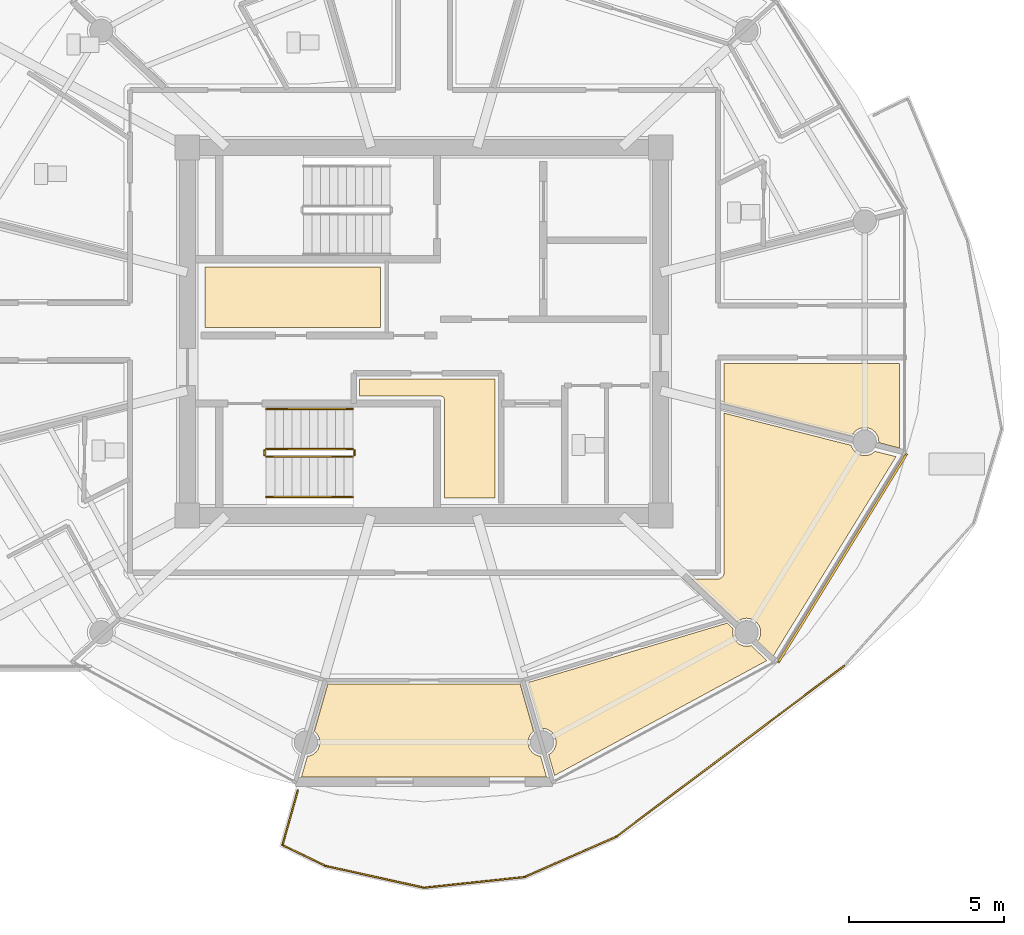
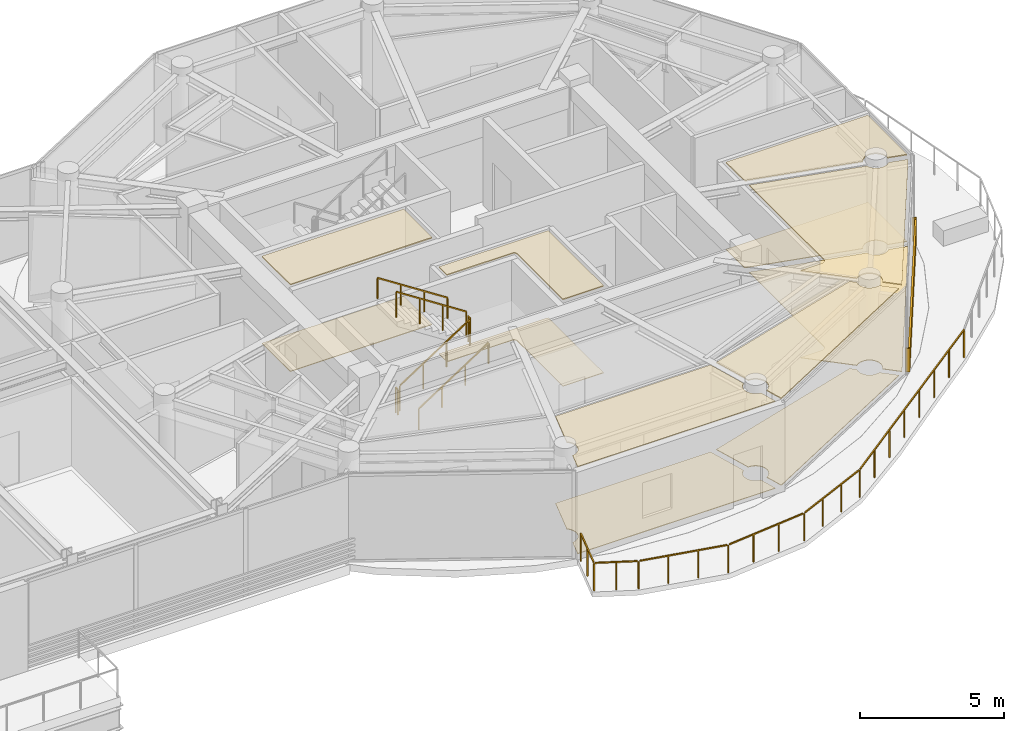
# One storey, part 27 of 31: 12 coverings, 7 railings, 1 shading device.
"""IFC4 building model written with IfcOpenShell, lengths in metres."""

from ifc_helpers import new_model, si_unit, direction, frame, origin, origin_2d, place, context, subcontext, project, spatial, polyline, rectangle, outline, extrude, source, transform, mapped, material, layer, layer_set, type_object, type_shapes, element, save


model = new_model("IFC4")

# Units and contexts
model_context = context("Model", 3, precision=1e-05, world=origin(), true_north=direction((0.0, 1.0)))
body_context = subcontext(model_context, "Body", "Model", "MODEL_VIEW")
ifc_project = project(units=[si_unit("LENGTHUNIT", "METRE"), si_unit("AREAUNIT", "SQUARE_METRE"), si_unit("VOLUMEUNIT", "CUBIC_METRE"), si_unit("PLANEANGLEUNIT", "RADIAN"), si_unit("MASSUNIT", "GRAM", prefix="KILO")], contexts=[model_context])

# Site, building, storey
site_placement = place(None, origin())
site = spatial("IfcSite", under=ifc_project, at=site_placement, CompositionType="ELEMENT")
building_placement = place(site_placement, origin())
building = spatial("IfcBuilding", under=site, at=building_placement, Name="Norrkilde Senior Care Towers", CompositionType="ELEMENT")
storey_placement = place(building_placement, frame((0.0, 0.0, 199.800048828125)))
storey = spatial("IfcBuildingStorey", under=building, at=storey_placement, Name="L62", CompositionType="ELEMENT", Elevation=199.800048828125)

# Coverings
ifc_material_1 = material(Name="Nordic Ash Timber", Category="wood")
ifc_layer_1 = layer(ifc_material_1, 0.044921875)
ifc_layer_set_1 = layer_set([ifc_layer_1], Name="Nordic Ash Timber")
covering_type_1 = type_object("IfcCoveringType", Name="Acoustic Ash Timber Slatted Ceiling 45", PredefinedType="CEILING", material=ifc_layer_set_1)
covering_1_placement = place(storey_placement, frame((0.0, 0.0, 3.6650390625)))
element("IfcCovering", 1, at=covering_1_placement, inside=storey, type_object=covering_type_1, Name="L62 Suspended Ceiling 0393", PredefinedType="CEILING", context=body_context, shape_type="SweptSolid", body=[
    extrude(outline(polyline([(20.919921875, 0.1201171875), (20.919921875, 2.090087890625), (26.60009765625, 2.090087890625), (26.60009765625, 0.1201171875), (20.919921875, 0.1201171875)])), origin(), (0.0, 0.0, 1.0), 0.044921875),
])
covering_2_placement = place(storey_placement, frame((0.0, 0.0, 3.6650390625)))
element("IfcCovering", 2, at=covering_2_placement, inside=storey, type_object=covering_type_1, Name="L62 Suspended Ceiling 0394", PredefinedType="CEILING", context=body_context, shape_type="SweptSolid", body=[
    extrude(outline(polyline([(28.65478515625, -2.175048828125), (28.65087890625, -2.1640625), (28.645751953125, -2.1533203125), (28.639892578125, -2.143310546875), (28.6328125, -2.1337890625), (28.624755859375, -2.125244140625), (28.6162109375, -2.1171875), (28.606689453125, -2.110107421875), (28.5966796875, -2.104248046875), (28.5859375, -2.09912109375), (28.574951171875, -2.09521484375), (28.5634765625, -2.09228515625), (28.5517578125, -2.090576171875), (28.5400390625, -2.090087890625), (25.919921875, -2.090087890625), (25.919921875, -1.5400390625), (30.2900390625, -1.5400390625), (30.2900390625, -5.3798828125), (28.659912109375, -5.3798828125), (28.659912109375, -2.2099609375), (28.659423828125, -2.1982421875), (28.65771484375, -2.1865234375), (28.65478515625, -2.175048828125)])), origin(), (0.0, 0.0, 1.0), 0.044921875),
])
covering_3_placement = place(storey_placement, frame((0.0, 0.0, 3.6650390625)))
element("IfcCovering", 3, at=covering_3_placement, inside=storey, type_object=covering_type_1, Name="L62 Suspended Ceiling 0399", PredefinedType="CEILING", context=body_context, shape_type="SweptSolid", body=[
    extrude(outline(polyline([(43.37353515625, -3.76708984375), (42.697509765625, -3.59619140625), (42.702392578125, -3.558837890625), (42.68701171875, -3.44091796875), (42.641357421875, -3.331298828125), (42.569091796875, -3.237060546875), (42.474853515625, -3.164794921875), (42.365234375, -3.119384765625), (42.247314453125, -3.103759765625), (42.129638671875, -3.119384765625), (42.02001953125, -3.164794921875), (41.92578125, -3.237060546875), (41.853271484375, -3.331298828125), (41.834228515625, -3.377685546875), (37.699951171875, -2.331298828125), (37.699951171875, -1.0400390625), (43.37353515625, -1.0400390625), (43.37353515625, -3.76708984375)])), origin(), (0.0, 0.0, 1.0), 0.044921875),
])
covering_4_placement = place(storey_placement, frame((0.0, 0.0, 3.6650390625)))
element("IfcCovering", 4, at=covering_4_placement, inside=storey, type_object=covering_type_1, Name="L62 Suspended Ceiling 0411", PredefinedType="CEILING", context=body_context, shape_type="SweptSolid", body=[
    extrude(outline(polyline([(24.229736328125, -13.730224609375), (24.30029296875, -13.720947265625), (24.409912109375, -13.675537109375), (24.504150390625, -13.603271484375), (24.576416015625, -13.509033203125), (24.621826171875, -13.399169921875), (24.637451171875, -13.281494140625), (24.621826171875, -13.163818359375), (24.576416015625, -13.053955078125), (24.504150390625, -12.959716796875), (24.458251953125, -12.924560546875), (24.89404296875, -11.38916015625), (31.10595703125, -11.38916015625), (31.541748046875, -12.924560546875), (31.495849609375, -12.959716796875), (31.423583984375, -13.053955078125), (31.378173828125, -13.163818359375), (31.362548828125, -13.281494140625), (31.378173828125, -13.399169921875), (31.423583984375, -13.509033203125), (31.495849609375, -13.603271484375), (31.590087890625, -13.675537109375), (31.69970703125, -13.720947265625), (31.770263671875, -13.730224609375), (31.96240234375, -14.407470703125), (24.03759765625, -14.407470703125), (24.229736328125, -13.730224609375)])), origin(), (0.0, 0.0, 1.0), 0.044921875),
])
covering_5_placement = place(storey_placement, frame((0.0, 0.0, 3.6650390625)))
element("IfcCovering", 5, at=covering_5_placement, inside=storey, type_object=covering_type_1, Name="L62 Suspended Ceiling 0412", PredefinedType="CEILING", context=body_context, shape_type="SweptSolid", body=[
    extrude(outline(polyline([(32.223876953125, -14.351806640625), (32.029052734375, -13.68212890625), (32.045166015625, -13.675537109375), (32.139404296875, -13.603271484375), (32.211669921875, -13.509033203125), (32.257080078125, -13.399169921875), (32.2724609375, -13.281494140625), (32.257080078125, -13.163818359375), (32.211669921875, -13.053955078125), (32.139404296875, -12.959716796875), (32.045166015625, -12.887451171875), (31.935302734375, -12.842041015625), (31.817626953125, -12.826416015625), (31.781494140625, -12.831298828125), (31.351318359375, -11.3525390625), (37.803955078125, -9.42578125), (37.9912109375, -9.6025390625), (37.990234375, -9.60498046875), (37.974853515625, -9.72265625), (37.990234375, -9.840576171875), (38.035888671875, -9.9501953125), (38.108154296875, -10.04443359375), (38.202392578125, -10.11669921875), (38.31201171875, -10.162109375), (38.429931640625, -10.177734375), (38.547607421875, -10.162109375), (38.57275390625, -10.15185546875), (39.08642578125, -10.636962890625), (32.223876953125, -14.351806640625)])), origin(), (0.0, 0.0, 1.0), 0.044921875),
])
covering_6_placement = place(storey_placement, frame((0.0, 0.0, 3.6650390625)))
element("IfcCovering", 6, at=covering_6_placement, inside=storey, type_object=covering_type_1, Name="L62 Suspended Ceiling 0413", PredefinedType="CEILING", context=body_context, shape_type="SweptSolid", body=[
    extrude(outline(polyline([(37.552490234375, -7.992919921875), (37.563720703125, -7.989501953125), (37.571044921875, -7.98681640625), (37.58203125, -7.982421875), (37.589111328125, -7.97900390625), (37.599365234375, -7.973388671875), (37.606201171875, -7.969482421875), (37.615966796875, -7.962890625), (37.622314453125, -7.958251953125), (37.63134765625, -7.95068359375), (37.63720703125, -7.945556640625), (37.6455078125, -7.937255859375), (37.65087890625, -7.931396484375), (37.658203125, -7.92236328125), (37.662841796875, -7.916015625), (37.66943359375, -7.90625), (37.673583984375, -7.8994140625), (37.678955078125, -7.888916015625), (37.682373046875, -7.8818359375), (37.68701171875, -7.87109375), (37.689453125, -7.86376953125), (37.69287109375, -7.852294921875), (37.69482421875, -7.8447265625), (37.697265625, -7.833251953125), (37.6982421875, -7.825439453125), (37.699462890625, -7.813720703125), (37.699951171875, -7.805908203125), (37.699951171875, -7.800048828125), (37.699951171875, -2.640625), (41.809814453125, -3.680908203125), (41.853271484375, -3.786376953125), (41.92578125, -3.880615234375), (42.02001953125, -3.952880859375), (42.129638671875, -3.998291015625), (42.247314453125, -4.013671875), (42.365234375, -3.998291015625), (42.474853515625, -3.952880859375), (42.569091796875, -3.880615234375), (42.573974609375, -3.874267578125), (43.25732421875, -4.04736328125), (39.28662109375, -10.495849609375), (38.775634765625, -10.01318359375), (38.823974609375, -9.9501953125), (38.869384765625, -9.840576171875), (38.884765625, -9.72265625), (38.869384765625, -9.60498046875), (38.823974609375, -9.4951171875), (38.75146484375, -9.40087890625), (38.6572265625, -9.32861328125), (38.547607421875, -9.283203125), (38.429931640625, -9.267822265625), (38.31201171875, -9.283203125), (38.202392578125, -9.32861328125), (38.11865234375, -9.392822265625), (36.644287109375, -8.0), (37.5, -8.0), (37.505859375, -7.999755859375), (37.513671875, -7.99951171875), (37.525390625, -7.998291015625), (37.533203125, -7.9970703125), (37.544677734375, -7.994873046875), (37.552490234375, -7.992919921875)])), origin(), (0.0, 0.0, 1.0), 0.044921875),
])

# Railing
ifc_material_2 = material(Name="Stainless Steel", Category="steel")
railing_type_1 = type_object("IfcRailingType", Name="Sky Pool Laminated Balustrade 1200", PredefinedType="BALUSTRADE", material=ifc_material_2)
railing_1_placement = place(storey_placement, frame((41.58740234375, -10.80712890625, 0.0)))
element("IfcRailing", 7, at=railing_1_placement, inside=storey, type_object=railing_type_1, Name="L62 Perimeter Safety Guard 01", PredefinedType="BALUSTRADE", context=body_context, shape_type="SweptSolid", body=[
    extrude(rectangle(XDim=0.048095703125, YDim=0.048095703125, at=origin_2d()), frame((0.0, 0.0, 1.17578125), z_axis=(-0.80021323354, -0.599715583313, 0.0), x_axis=(0.599715583313, -0.80021323354, 0.0)), (0.0, 0.0, 1.0), 9.162353515625),
    extrude(rectangle(XDim=0.048095703125, YDim=0.048095703125, at=origin_2d()), frame((-7.40185546875, -5.53564453125, 1.17578125), z_axis=(-0.915355988699, -0.402645518979, 0.0), x_axis=(0.402645518979, -0.915355988699, 0.0)), (0.0, 0.0, 1.0), 3.170166015625),
    extrude(rectangle(XDim=0.048095703125, YDim=0.048095703125, at=origin_2d()), frame((-10.3818359375, -6.8330078125, 1.17578125), z_axis=(-0.994369621429, -0.105967240121, 0.0), x_axis=(0.105967240121, -0.994369621429, 0.0)), (0.0, 0.0, 1.0), 3.17822265625),
    extrude(rectangle(XDim=0.048095703125, YDim=0.048095703125, at=origin_2d()), frame((-13.62255859375, -7.165283203125, 1.17578125), z_axis=(-0.976354032305, 0.216177713008, 0.0), x_axis=(-0.216177713008, -0.976354032305, 0.0)), (0.0, 0.0, 1.0), 3.180908203125),
    extrude(rectangle(XDim=0.048095703125, YDim=0.048095703125, at=origin_2d()), frame((-16.80517578125, -6.450927734375, 1.17578125), z_axis=(-0.900460101049, 0.434938623738, 0.0), x_axis=(-0.434938623738, -0.900460101049, 0.0)), (0.0, 0.0, 1.0), 1.467041015625),
    extrude(rectangle(XDim=0.048095703125, YDim=0.048095703125, at=origin_2d()), frame((-18.15185546875, -5.755859375, 1.17578125), z_axis=(0.270182797881, 0.962809044271, 0.0), x_axis=(-0.962809044271, 0.270182797881, 0.0)), (0.0, 0.0, 1.0), 1.79345703125),
    extrude(rectangle(XDim=0.0419921875, YDim=0.0419921875, at=origin_2d()), origin(), (0.0, 0.0, 1.0), 1.14990234375),
    extrude(rectangle(XDim=0.0419921875, YDim=0.0419921875, at=origin_2d()), frame((-1.052001953125, -0.78857421875, 0.0)), (0.0, 0.0, 1.0), 1.14990234375),
    extrude(rectangle(XDim=0.0419921875, YDim=0.0419921875, at=origin_2d()), frame((-2.104248046875, -1.576904296875, 0.0)), (0.0, 0.0, 1.0), 1.14990234375),
    extrude(rectangle(XDim=0.0419921875, YDim=0.0419921875, at=origin_2d()), frame((-3.15625, -2.365478515625, 0.0)), (0.0, 0.0, 1.0), 1.14990234375),
    extrude(rectangle(XDim=0.0419921875, YDim=0.0419921875, at=origin_2d()), frame((-4.208251953125, -3.15380859375, 0.0)), (0.0, 0.0, 1.0), 1.14990234375),
    extrude(rectangle(XDim=0.0419921875, YDim=0.0419921875, at=origin_2d()), frame((-5.26025390625, -3.9423828125, 0.0)), (0.0, 0.0, 1.0), 1.14990234375),
    extrude(rectangle(XDim=0.0419921875, YDim=0.0419921875, at=origin_2d()), frame((-6.3125, -4.730712890625, 0.0)), (0.0, 0.0, 1.0), 1.14990234375),
    extrude(rectangle(XDim=0.0419921875, YDim=0.0419921875, at=origin_2d()), frame((-7.364501953125, -5.519287109375, 0.0)), (0.0, 0.0, 1.0), 1.14990234375),
    extrude(rectangle(XDim=0.0419921875, YDim=0.0419921875, at=origin_2d()), frame((-8.356689453125, -5.955810546875, 0.0)), (0.0, 0.0, 1.0), 1.14990234375),
    extrude(rectangle(XDim=0.0419921875, YDim=0.0419921875, at=origin_2d()), frame((-9.348876953125, -6.39208984375, 0.0)), (0.0, 0.0, 1.0), 1.14990234375),
    extrude(rectangle(XDim=0.0419921875, YDim=0.0419921875, at=origin_2d()), frame((-10.341064453125, -6.82861328125, 0.0)), (0.0, 0.0, 1.0), 1.14990234375),
    extrude(rectangle(XDim=0.0419921875, YDim=0.0419921875, at=origin_2d()), frame((-11.421630859375, -6.94384765625, 0.0)), (0.0, 0.0, 1.0), 1.14990234375),
    extrude(rectangle(XDim=0.0419921875, YDim=0.0419921875, at=origin_2d()), frame((-12.502197265625, -7.058837890625, 0.0)), (0.0, 0.0, 1.0), 1.14990234375),
    extrude(rectangle(XDim=0.0419921875, YDim=0.0419921875, at=origin_2d()), frame((-13.582763671875, -7.174072265625, 0.0)), (0.0, 0.0, 1.0), 1.14990234375),
    extrude(rectangle(XDim=0.0419921875, YDim=0.0419921875, at=origin_2d()), frame((-14.64453125, -6.93896484375, 0.0)), (0.0, 0.0, 1.0), 1.14990234375),
    extrude(rectangle(XDim=0.0419921875, YDim=0.0419921875, at=origin_2d()), frame((-15.70654296875, -6.703857421875, 0.0)), (0.0, 0.0, 1.0), 1.14990234375),
    extrude(rectangle(XDim=0.0419921875, YDim=0.0419921875, at=origin_2d()), frame((-16.768310546875, -6.46875, 0.0)), (0.0, 0.0, 1.0), 1.14990234375),
    extrude(rectangle(XDim=0.0419921875, YDim=0.0419921875, at=origin_2d()), frame((-17.465576171875, -6.1318359375, 0.0)), (0.0, 0.0, 1.0), 1.14990234375),
    extrude(rectangle(XDim=0.0419921875, YDim=0.0419921875, at=origin_2d()), frame((-18.162841796875, -5.795166015625, 0.0)), (0.0, 0.0, 1.0), 1.14990234375),
    extrude(rectangle(XDim=0.0419921875, YDim=0.0419921875, at=origin_2d()), frame((-17.9150390625, -4.912109375, 0.0)), (0.0, 0.0, 1.0), 1.14990234375),
    extrude(rectangle(XDim=0.0419921875, YDim=0.0419921875, at=origin_2d()), frame((-17.667236328125, -4.029052734375, 0.0)), (0.0, 0.0, 1.0), 1.14990234375),
])

# Coverings
ifc_material_3 = material(Name="Slip-Resistant Porcelain Stone", Category="masonry")
ifc_layer_2 = layer(ifc_material_3, 0.02490234375)
ifc_layer_set_2 = layer_set([ifc_layer_2], Name="Slip-Resistant Porcelain Stone")
covering_type_2 = type_object("IfcCoveringType", Name="Slip-Resistant Porcelain Flooring 25", PredefinedType="FLOORING", material=ifc_layer_set_2)
covering_7_placement = place(storey_placement, origin())
element("IfcCovering", 8, at=covering_7_placement, inside=storey, type_object=covering_type_2, Name="L62 Floor Finish 0393", PredefinedType="FLOORING", context=body_context, shape_type="SweptSolid", body=[
    extrude(outline(polyline([(20.919921875, 0.1201171875), (20.919921875, 2.090087890625), (26.60009765625, 2.090087890625), (26.60009765625, 0.1201171875), (20.919921875, 0.1201171875)])), origin(), (0.0, 0.0, 1.0), 0.02490234375),
])
covering_8_placement = place(storey_placement, origin())
element("IfcCovering", 9, at=covering_8_placement, inside=storey, type_object=covering_type_2, Name="L62 Floor Finish 0394", PredefinedType="FLOORING", context=body_context, shape_type="SweptSolid", body=[
    extrude(outline(polyline([(28.65478515625, -2.175048828125), (28.65087890625, -2.1640625), (28.645751953125, -2.1533203125), (28.639892578125, -2.143310546875), (28.6328125, -2.1337890625), (28.624755859375, -2.125244140625), (28.6162109375, -2.1171875), (28.606689453125, -2.110107421875), (28.5966796875, -2.104248046875), (28.5859375, -2.09912109375), (28.574951171875, -2.09521484375), (28.5634765625, -2.09228515625), (28.5517578125, -2.090576171875), (28.5400390625, -2.090087890625), (25.919921875, -2.090087890625), (25.919921875, -1.5400390625), (30.2900390625, -1.5400390625), (30.2900390625, -5.3798828125), (28.659912109375, -5.3798828125), (28.659912109375, -2.2099609375), (28.659423828125, -2.1982421875), (28.65771484375, -2.1865234375), (28.65478515625, -2.175048828125)])), origin(), (0.0, 0.0, 1.0), 0.02490234375),
])
covering_9_placement = place(storey_placement, origin())
element("IfcCovering", 10, at=covering_9_placement, inside=storey, type_object=covering_type_2, Name="L62 Floor Finish 0399", PredefinedType="FLOORING", context=body_context, shape_type="SweptSolid", body=[
    extrude(outline(polyline([(43.37353515625, -3.76708984375), (42.697509765625, -3.59619140625), (42.702392578125, -3.558837890625), (42.68701171875, -3.44091796875), (42.641357421875, -3.331298828125), (42.569091796875, -3.237060546875), (42.474853515625, -3.164794921875), (42.365234375, -3.119384765625), (42.247314453125, -3.103759765625), (42.129638671875, -3.119384765625), (42.02001953125, -3.164794921875), (41.92578125, -3.237060546875), (41.853271484375, -3.331298828125), (41.834228515625, -3.377685546875), (37.699951171875, -2.331298828125), (37.699951171875, -1.0400390625), (43.37353515625, -1.0400390625), (43.37353515625, -3.76708984375)])), origin(), (0.0, 0.0, 1.0), 0.02490234375),
])
covering_10_placement = place(storey_placement, origin())
element("IfcCovering", 11, at=covering_10_placement, inside=storey, type_object=covering_type_2, Name="L62 Floor Finish 0411", PredefinedType="FLOORING", context=body_context, shape_type="SweptSolid", body=[
    extrude(outline(polyline([(24.229736328125, -13.730224609375), (24.30029296875, -13.720947265625), (24.409912109375, -13.675537109375), (24.504150390625, -13.603271484375), (24.576416015625, -13.509033203125), (24.621826171875, -13.399169921875), (24.637451171875, -13.281494140625), (24.621826171875, -13.163818359375), (24.576416015625, -13.053955078125), (24.504150390625, -12.959716796875), (24.458251953125, -12.924560546875), (24.89404296875, -11.38916015625), (31.10595703125, -11.38916015625), (31.541748046875, -12.924560546875), (31.495849609375, -12.959716796875), (31.423583984375, -13.053955078125), (31.378173828125, -13.163818359375), (31.362548828125, -13.281494140625), (31.378173828125, -13.399169921875), (31.423583984375, -13.509033203125), (31.495849609375, -13.603271484375), (31.590087890625, -13.675537109375), (31.69970703125, -13.720947265625), (31.770263671875, -13.730224609375), (31.96240234375, -14.407470703125), (24.03759765625, -14.407470703125), (24.229736328125, -13.730224609375)])), origin(), (0.0, 0.0, 1.0), 0.02490234375),
])
covering_11_placement = place(storey_placement, origin())
element("IfcCovering", 12, at=covering_11_placement, inside=storey, type_object=covering_type_2, Name="L62 Floor Finish 0412", PredefinedType="FLOORING", context=body_context, shape_type="SweptSolid", body=[
    extrude(outline(polyline([(32.223876953125, -14.351806640625), (32.029052734375, -13.68212890625), (32.045166015625, -13.675537109375), (32.139404296875, -13.603271484375), (32.211669921875, -13.509033203125), (32.257080078125, -13.399169921875), (32.2724609375, -13.281494140625), (32.257080078125, -13.163818359375), (32.211669921875, -13.053955078125), (32.139404296875, -12.959716796875), (32.045166015625, -12.887451171875), (31.935302734375, -12.842041015625), (31.817626953125, -12.826416015625), (31.781494140625, -12.831298828125), (31.351318359375, -11.3525390625), (37.803955078125, -9.42578125), (37.9912109375, -9.6025390625), (37.990234375, -9.60498046875), (37.974853515625, -9.72265625), (37.990234375, -9.840576171875), (38.035888671875, -9.9501953125), (38.108154296875, -10.04443359375), (38.202392578125, -10.11669921875), (38.31201171875, -10.162109375), (38.429931640625, -10.177734375), (38.547607421875, -10.162109375), (38.57275390625, -10.15185546875), (39.08642578125, -10.636962890625), (32.223876953125, -14.351806640625)])), origin(), (0.0, 0.0, 1.0), 0.02490234375),
])
covering_12_placement = place(storey_placement, origin())
element("IfcCovering", 13, at=covering_12_placement, inside=storey, type_object=covering_type_2, Name="L62 Floor Finish 0413", PredefinedType="FLOORING", context=body_context, shape_type="SweptSolid", body=[
    extrude(outline(polyline([(37.552490234375, -7.992919921875), (37.563720703125, -7.989501953125), (37.571044921875, -7.98681640625), (37.58203125, -7.982421875), (37.589111328125, -7.97900390625), (37.599365234375, -7.973388671875), (37.606201171875, -7.969482421875), (37.615966796875, -7.962890625), (37.622314453125, -7.958251953125), (37.63134765625, -7.95068359375), (37.63720703125, -7.945556640625), (37.6455078125, -7.937255859375), (37.65087890625, -7.931396484375), (37.658203125, -7.92236328125), (37.662841796875, -7.916015625), (37.66943359375, -7.90625), (37.673583984375, -7.8994140625), (37.678955078125, -7.888916015625), (37.682373046875, -7.8818359375), (37.68701171875, -7.87109375), (37.689453125, -7.86376953125), (37.69287109375, -7.852294921875), (37.69482421875, -7.8447265625), (37.697265625, -7.833251953125), (37.6982421875, -7.825439453125), (37.699462890625, -7.813720703125), (37.699951171875, -7.805908203125), (37.699951171875, -7.800048828125), (37.699951171875, -2.640625), (41.809814453125, -3.680908203125), (41.853271484375, -3.786376953125), (41.92578125, -3.880615234375), (42.02001953125, -3.952880859375), (42.129638671875, -3.998291015625), (42.247314453125, -4.013671875), (42.365234375, -3.998291015625), (42.474853515625, -3.952880859375), (42.569091796875, -3.880615234375), (42.573974609375, -3.874267578125), (43.25732421875, -4.04736328125), (39.28662109375, -10.495849609375), (38.775634765625, -10.01318359375), (38.823974609375, -9.9501953125), (38.869384765625, -9.840576171875), (38.884765625, -9.72265625), (38.869384765625, -9.60498046875), (38.823974609375, -9.4951171875), (38.75146484375, -9.40087890625), (38.6572265625, -9.32861328125), (38.547607421875, -9.283203125), (38.429931640625, -9.267822265625), (38.31201171875, -9.283203125), (38.202392578125, -9.32861328125), (38.11865234375, -9.392822265625), (36.644287109375, -8.0), (37.5, -8.0), (37.505859375, -7.999755859375), (37.513671875, -7.99951171875), (37.525390625, -7.998291015625), (37.533203125, -7.9970703125), (37.544677734375, -7.994873046875), (37.552490234375, -7.992919921875)])), origin(), (0.0, 0.0, 1.0), 0.02490234375),
])

# Railings
railing_type_2 = type_object("IfcRailingType", Name="Stair and Terrace Guardrail 1100", PredefinedType="GUARDRAIL", material=ifc_material_2)
railing_2_placement = place(storey_placement, frame((22.89990234375, -4.050048828125, 0.181884765625)))
element("IfcRailing", 14, at=railing_2_placement, inside=storey, type_object=railing_type_2, Name="L62 ST-E2 stair guard 1", PredefinedType="GUARDRAIL", context=body_context, shape_type="SweptSolid", body=[
    extrude(rectangle(XDim=0.048095703125, YDim=0.048095703125, at=origin_2d()), frame((0.0, 0.0, 1.076171875), z_axis=(0.838705829183, 0.0, 0.544584733623), x_axis=(0.0, 1.0, 0.0)), (0.0, 0.0, 1.0), 3.338623046875),
    extrude(rectangle(XDim=0.0419921875, YDim=0.0419921875, at=origin_2d()), origin(), (0.0, 0.0, 1.0), 1.050048828125),
    extrude(rectangle(XDim=0.0419921875, YDim=0.0419921875, at=origin_2d()), frame((0.933349609375, 0.0, 0.60595703125)), (0.0, 0.0, 1.0), 1.050048828125),
    extrude(rectangle(XDim=0.0419921875, YDim=0.0419921875, at=origin_2d()), frame((1.86669921875, 0.0, 1.212158203125)), (0.0, 0.0, 1.0), 1.050048828125),
    extrude(rectangle(XDim=0.0419921875, YDim=0.0419921875, at=origin_2d()), frame((2.800048828125, 0.0, 1.818115234375)), (0.0, 0.0, 1.0), 1.050048828125),
])
railing_3_placement = place(storey_placement, frame((25.75, -4.0, 2.0)))
element("IfcRailing", 15, at=railing_3_placement, inside=storey, type_object=railing_type_2, Name="L62 ST-E2 stair guard 2", PredefinedType="GUARDRAIL", context=body_context, shape_type="SweptSolid", body=[
    extrude(rectangle(XDim=0.048095703125, YDim=0.048095703125, at=origin_2d()), frame((0.0, 0.0, 1.076171875), z_axis=(0.0, 1.0, 0.0), x_axis=(-1.0, 0.0, 0.0)), (0.0, 0.0, 1.0), 0.14990234375),
    extrude(rectangle(XDim=0.0419921875, YDim=0.0419921875, at=origin_2d()), origin(), (0.0, 0.0, 1.0), 1.050048828125),
    extrude(rectangle(XDim=0.0419921875, YDim=0.0419921875, at=origin_2d()), frame((0.0, 0.14990234375, 0.0)), (0.0, 0.0, 1.0), 1.050048828125),
])
railing_4_placement = place(storey_placement, frame((25.699951171875, -3.800048828125, 2.181884765625)))
element("IfcRailing", 16, at=railing_4_placement, inside=storey, type_object=railing_type_2, Name="L62 ST-E2 stair guard 3", PredefinedType="GUARDRAIL", context=body_context, shape_type="SweptSolid", body=[
    extrude(rectangle(XDim=0.048095703125, YDim=0.048095703125, at=origin_2d()), frame((0.0, 0.0, 1.076171875), z_axis=(-0.838705829183, 0.0, 0.544584733623), x_axis=(0.0, -1.0, 0.0)), (0.0, 0.0, 1.0), 3.338623046875),
    extrude(rectangle(XDim=0.0419921875, YDim=0.0419921875, at=origin_2d()), origin(), (0.0, 0.0, 1.0), 1.050048828125),
    extrude(rectangle(XDim=0.0419921875, YDim=0.0419921875, at=origin_2d()), frame((-0.933349609375, 0.0, 0.60595703125)), (0.0, 0.0, 1.0), 1.050048828125),
    extrude(rectangle(XDim=0.0419921875, YDim=0.0419921875, at=origin_2d()), frame((-1.86669921875, 0.0, 1.212158203125)), (0.0, 0.0, 1.0), 1.050048828125),
    extrude(rectangle(XDim=0.0419921875, YDim=0.0419921875, at=origin_2d()), frame((-2.800048828125, 0.0, 1.818115234375)), (0.0, 0.0, 1.0), 1.050048828125),
])
railing_5_placement = place(storey_placement, frame((22.85009765625, -4.0, 0.0)))
element("IfcRailing", 17, at=railing_5_placement, inside=storey, type_object=railing_type_2, Name="L62 ST-E2 stair guard 4", PredefinedType="GUARDRAIL", context=body_context, shape_type="SweptSolid", body=[
    extrude(rectangle(XDim=0.048095703125, YDim=0.048095703125, at=origin_2d()), frame((0.0, 0.0, 1.076171875), z_axis=(0.0, 1.0, 0.0), x_axis=(-1.0, 0.0, 0.0)), (0.0, 0.0, 1.0), 0.14990234375),
    extrude(rectangle(XDim=0.0419921875, YDim=0.0419921875, at=origin_2d()), origin(), (0.0, 0.0, 1.0), 1.050048828125),
    extrude(rectangle(XDim=0.0419921875, YDim=0.0419921875, at=origin_2d()), frame((0.0, 0.14990234375, 0.0)), (0.0, 0.0, 1.0), 1.050048828125),
])
railing_type_3 = type_object("IfcRailingType", Name="Wall and Stair Handrail 900", PredefinedType="HANDRAIL", material=ifc_material_1)
railing_6_placement = place(storey_placement, frame((22.89990234375, -5.35009765625, 0.181884765625)))
element("IfcRailing", 18, at=railing_6_placement, inside=storey, type_object=railing_type_3, Name="L62 ST-E2 stair handrail 1", PredefinedType="HANDRAIL", context=body_context, shape_type="SweptSolid", body=[
    extrude(rectangle(XDim=0.048095703125, YDim=0.048095703125, at=origin_2d()), frame((0.0, 0.0, 0.8759765625), z_axis=(0.838705829183, 0.0, 0.544584733623), x_axis=(0.0, 1.0, 0.0)), (0.0, 0.0, 1.0), 3.338623046875),
    extrude(rectangle(XDim=0.0419921875, YDim=0.0419921875, at=origin_2d()), origin(), (0.0, 0.0, 1.0), 0.849853515625),
    extrude(rectangle(XDim=0.0419921875, YDim=0.0419921875, at=origin_2d()), frame((0.933349609375, 0.0, 0.60595703125)), (0.0, 0.0, 1.0), 0.849853515625),
    extrude(rectangle(XDim=0.0419921875, YDim=0.0419921875, at=origin_2d()), frame((1.86669921875, 0.0, 1.212158203125)), (0.0, 0.0, 1.0), 0.849853515625),
    extrude(rectangle(XDim=0.0419921875, YDim=0.0419921875, at=origin_2d()), frame((2.800048828125, 0.0, 1.818115234375)), (0.0, 0.0, 1.0), 0.849853515625),
])
railing_7_placement = place(storey_placement, frame((25.699951171875, -2.5, 2.181884765625)))
element("IfcRailing", 19, at=railing_7_placement, inside=storey, type_object=railing_type_3, Name="L62 ST-E2 stair handrail 2", PredefinedType="HANDRAIL", context=body_context, shape_type="SweptSolid", body=[
    extrude(rectangle(XDim=0.048095703125, YDim=0.048095703125, at=origin_2d()), frame((0.0, 0.0, 0.8759765625), z_axis=(-0.838705829183, 0.0, 0.544584733623), x_axis=(0.0, -1.0, 0.0)), (0.0, 0.0, 1.0), 3.338623046875),
    extrude(rectangle(XDim=0.0419921875, YDim=0.0419921875, at=origin_2d()), origin(), (0.0, 0.0, 1.0), 0.849853515625),
    extrude(rectangle(XDim=0.0419921875, YDim=0.0419921875, at=origin_2d()), frame((-0.933349609375, 0.0, 0.60595703125)), (0.0, 0.0, 1.0), 0.849853515625),
    extrude(rectangle(XDim=0.0419921875, YDim=0.0419921875, at=origin_2d()), frame((-1.86669921875, 0.0, 1.212158203125)), (0.0, 0.0, 1.0), 0.849853515625),
    extrude(rectangle(XDim=0.0419921875, YDim=0.0419921875, at=origin_2d()), frame((-2.800048828125, 0.0, 1.818115234375)), (0.0, 0.0, 1.0), 0.849853515625),
])

# Shading device
ifc_material_4 = material(Name="Architectural Terracotta", Category="masonry")
shading_device_type = type_object("IfcShadingDeviceType", Name="Horizontal Terracotta Baguette Rack", PredefinedType="USERDEFINED", material=ifc_material_4)
shared_shape = source(origin(), body_context, "Body", "SweptSolid", [
    extrude(rectangle(XDim=0.070068359375, YDim=0.110107421875, at=origin_2d()), frame((0.0, 0.090087890625, 0.125), z_axis=(1.0, 0.0, 0.0), x_axis=(0.0, 1.0, 0.0)), (0.0, 0.0, 1.0), 7.938232421875),
    extrude(rectangle(XDim=0.070068359375, YDim=0.110107421875, at=origin_2d()), frame((0.0, 0.090087890625, 0.375), z_axis=(1.0, 0.0, 0.0), x_axis=(0.0, 1.0, 0.0)), (0.0, 0.0, 1.0), 7.938232421875),
    extrude(rectangle(XDim=0.070068359375, YDim=0.110107421875, at=origin_2d()), frame((0.0, 0.090087890625, 0.625), z_axis=(1.0, 0.0, 0.0), x_axis=(0.0, 1.0, 0.0)), (0.0, 0.0, 1.0), 7.938232421875),
    extrude(rectangle(XDim=0.070068359375, YDim=0.110107421875, at=origin_2d()), frame((0.0, 0.090087890625, 0.875), z_axis=(1.0, 0.0, 0.0), x_axis=(0.0, 1.0, 0.0)), (0.0, 0.0, 1.0), 7.938232421875),
    extrude(rectangle(XDim=0.050048828125, YDim=0.1552734375, at=origin_2d()), frame((0.02490234375, 0.047607421875, 0.0)), (0.0, 0.0, 1.0), 1.0),
    extrude(rectangle(XDim=0.050048828125, YDim=0.1552734375, at=origin_2d()), frame((7.9130859375, 0.047607421875, 0.0)), (0.0, 0.0, 1.0), 1.0),
])
type_shapes(shading_device_type, [shared_shape])
shading_device_placement = place(storey_placement, frame((43.531982421875, -3.903076171875, 0.079833984375), z_axis=(0.0, 0.0, 1.0), x_axis=(-0.524250345994, -0.851576195602, 0.0)))
element("IfcShadingDevice", 20, at=shading_device_placement, inside=storey, type_object=shading_device_type, Name="L62 Drum E Terracotta Baguette Screen 10", ObjectType="BAGUETTE", PredefinedType="USERDEFINED", context=body_context, shape_type="MappedRepresentation", body=[
    mapped(shared_shape, transform((0.0, 0.0, 0.0), x_axis=(1.0, 0.0, 0.0), y_axis=(0.0, 1.0, 0.0), z_axis=(0.0, 0.0, 1.0), scale=1.0)),
])

save(model, "model.ifc")
